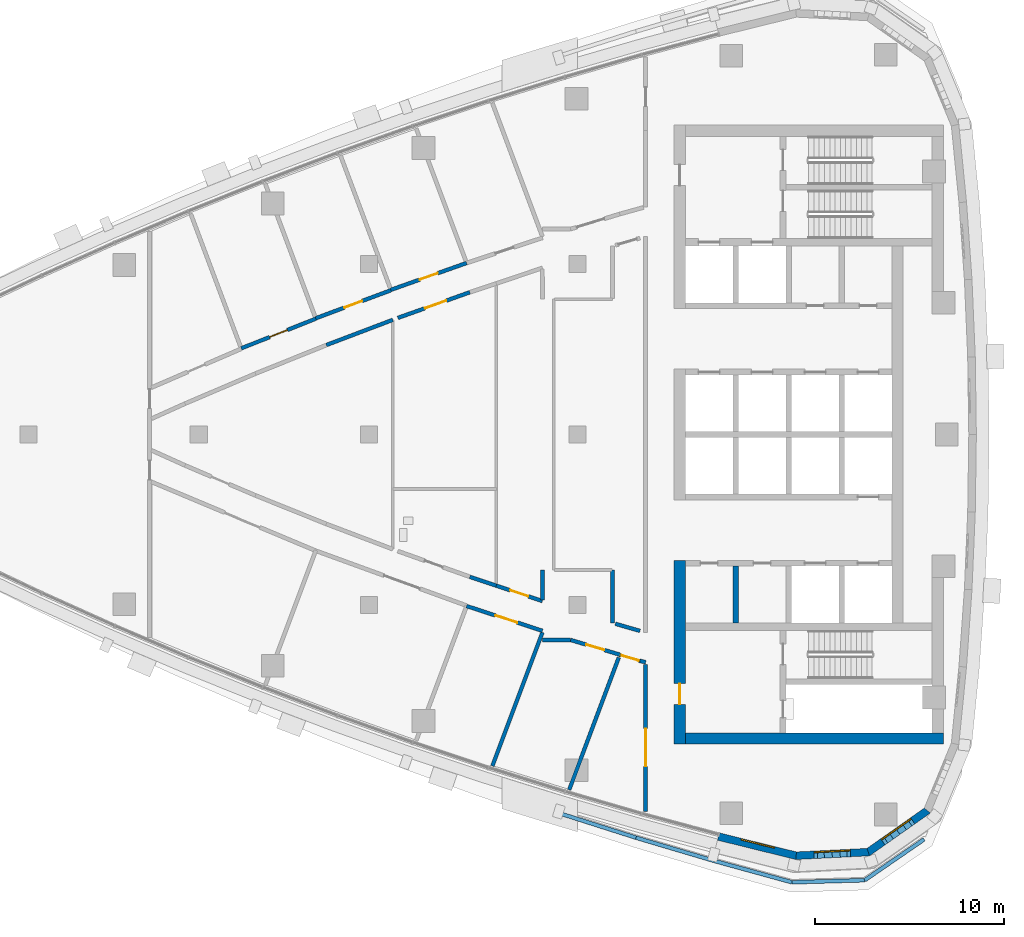
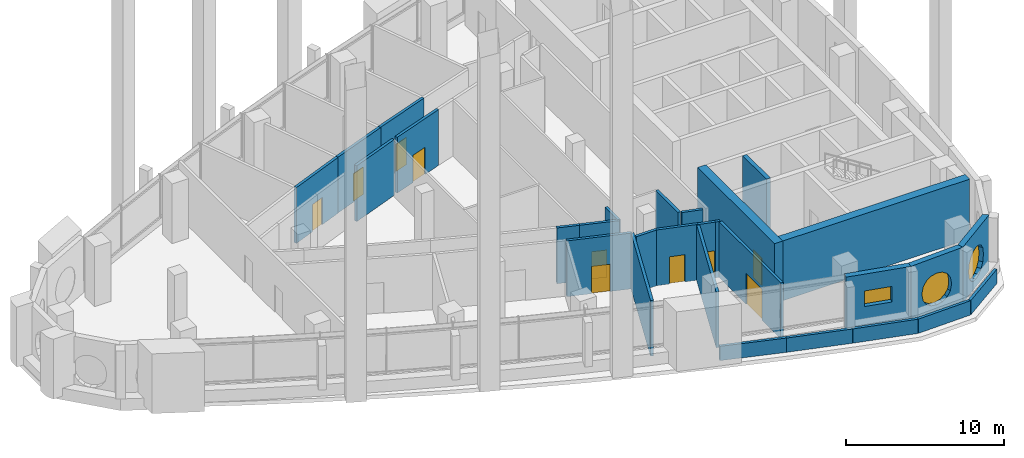
# One storey, part 7 of 15: 29 walls, 10 doors, 3 windows, 13 openings.
"""IFC4 building model written with IfcOpenShell, lengths in metres."""

from ifc_helpers import new_model, si_unit, direction, frame, frame_2d, origin, place, context, subcontext, project, spatial, polyline, rectangle, outline, extrude, material, layer, layer_set, type_object, element, fill, save


model = new_model("IFC4")

# Units and contexts
model_context = context("Model", 3, precision=1e-05, world=origin(), true_north=direction((0.0, 1.0)))
body_context = subcontext(model_context, "Body", "Model", "MODEL_VIEW")
ifc_project = project(units=[si_unit("LENGTHUNIT", "METRE"), si_unit("AREAUNIT", "SQUARE_METRE"), si_unit("VOLUMEUNIT", "CUBIC_METRE"), si_unit("PLANEANGLEUNIT", "RADIAN"), si_unit("MASSUNIT", "GRAM", prefix="KILO")], contexts=[model_context])

# Site, building, storey
site_placement = place(None, origin())
site = spatial("IfcSite", under=ifc_project, at=site_placement, CompositionType="ELEMENT")
building_placement = place(site_placement, origin())
building = spatial("IfcBuilding", under=site, at=building_placement, Name="Ostrand Prow Hotel Tower", CompositionType="ELEMENT")
storey_placement = place(building_placement, frame((0.0, 0.0, 216.199951171875)))
storey = spatial("IfcBuildingStorey", under=building, at=storey_placement, Name="L54", CompositionType="ELEMENT", Elevation=216.199951171875)

# Wall
ifc_material_1 = material(Name="Concrete C50/60", Category="concrete")
ifc_layer_1 = layer(ifc_material_1, 0.300048828125)
ifc_layer_set_1 = layer_set([ifc_layer_1], Name="Concrete C50/60")
wall_type_1 = type_object("IfcWallType", Name="Core wall 300 C50/60", PredefinedType="SHEAR", material=ifc_layer_set_1)
wall_1_placement = place(storey_placement, frame((53.35009765625, -9.949951171875, 0.0), z_axis=(0.0, 0.0, 1.0), x_axis=(0.0, 1.0, 0.0)))
element("IfcWall", 1, at=wall_1_placement, inside=storey, type_object=wall_type_1, Name="Core wall PW-R1-SA", PredefinedType="SHEAR", context=body_context, shape_type="SweptSolid", body=[
    extrude(rectangle(XDim=3.0, YDim=0.300048828125, at=frame_2d((1.5, 0.0))), origin(), (0.0, 0.0, 1.0), 4.60009765625),
])

# Wall, opening, door
ifc_material_2 = material(Name="Concrete C50/60", Category="concrete")
ifc_layer_2 = layer(ifc_material_2, 0.60009765625)
ifc_layer_set_2 = layer_set([ifc_layer_2], Name="Concrete C50/60")
wall_type_2 = type_object("IfcWallType", Name="Core wall 600 C50/60", PredefinedType="SHEAR", material=ifc_layer_set_2)
wall_2_placement = place(storey_placement, frame((50.39990234375, -16.35009765625, 0.0), z_axis=(0.0, 0.0, 1.0), x_axis=(0.0, 1.0, 0.0)))
wall_2 = element("IfcWall", 2, at=wall_2_placement, inside=storey, type_object=wall_type_2, Name="Core wall CW-W-S", PredefinedType="SHEAR", context=body_context, shape_type="SweptSolid", body=[
    extrude(rectangle(XDim=9.7001953125, YDim=0.60009765625, at=frame_2d((4.85009765625, 0.0))), origin(), (0.0, 0.0, 1.0), 4.60009765625),
])
opening_1_placement = place(wall_2_placement, frame((2.10009765625, 0.0, 0.0)))
opening_1 = element("IfcOpeningElement", 3, at=opening_1_placement, cuts=wall_2, Name="Opening FD1", PredefinedType="OPENING", context=body_context, shape_type="SweptSolid", body=[
    extrude(rectangle(XDim=1.10009765625, YDim=2.10009765625, at=frame_2d((0.550048828125, 1.050048828125))), frame((0.0, 0.31005859375, 0.0), z_axis=(0.0, -1.0, 0.0), x_axis=(1.0, 0.0, 0.0)), (0.0, 0.0, 1.0), 0.6201171875),
])
ifc_material_3 = material(Name="Steel fire door", Category="steel")
door_type_1 = type_object("IfcDoorType", Name="Fire door 1100 EI120", OperationType="SINGLE_SWING_RIGHT", PredefinedType="DOOR", material=ifc_material_3)
door_1_placement = place(opening_1_placement, origin())
door_1 = element("IfcDoor", 4, at=door_1_placement, inside=storey, type_object=door_type_1, Name="FIRE DOOR", OperationType="SINGLE_SWING_RIGHT", OverallHeight=2.10009765625, OverallWidth=1.10009765625, PredefinedType="DOOR", context=body_context, shape_type="SweptSolid", body=[
    extrude(rectangle(XDim=1.10009765625, YDim=2.10009765625, at=frame_2d((0.550048828125, 1.050048828125))), frame((0.0, 0.02490234375, 0.0), z_axis=(0.0, -1.0, 0.0), x_axis=(1.0, 0.0, 0.0)), (0.0, 0.0, 1.0), 0.050048828125),
])
fill(opening_1, door_1)

# Wall
wall_3_placement = place(storey_placement, frame((50.699951171875, -16.050048828125, 0.0), z_axis=(0.0, 0.0, 1.0), x_axis=(1.0, 0.0, 0.0)))
element("IfcWall", 5, at=wall_3_placement, inside=storey, type_object=wall_type_2, Name="Core wall CW-S", PredefinedType="SHEAR", context=body_context, shape_type="SweptSolid", body=[
    extrude(rectangle(XDim=13.6201171875, YDim=0.60009765625, at=frame_2d((6.81005859375, 0.0))), origin(), (0.0, 0.0, 1.0), 4.60009765625),
])

# Wall, opening, door
ifc_material_4 = material(Name="Plasterboard partition")
ifc_layer_3 = layer(ifc_material_4, 0.199951171875)
ifc_layer_set_3 = layer_set([ifc_layer_3], Name="Plasterboard partition")
wall_type_3 = type_object("IfcWallType", Name="Partition 200 corridor wall", PredefinedType="PARTITIONING", material=ifc_layer_set_3)
wall_4_placement = place(storey_placement, frame((27.24169921875, 4.548828125, 0.0), z_axis=(0.0, 0.0, 1.0), x_axis=(0.929035264316, 0.369991185919, 0.0)))
wall_4 = element("IfcWall", 6, at=wall_4_placement, inside=storey, type_object=wall_type_3, Name="CORRIDOR WALL", PredefinedType="PARTITIONING", context=body_context, shape_type="SweptSolid", body=[
    extrude(rectangle(XDim=4.2421875, YDim=0.199951171875, at=frame_2d((2.12109375, 0.0))), origin(), (0.0, 0.0, 1.0), 4.300048828125),
])
opening_2_placement = place(wall_4_placement, frame((1.62109375, 0.0, 0.0)))
opening_2 = element("IfcOpeningElement", 7, at=opening_2_placement, cuts=wall_4, Name="Opening D1R", PredefinedType="OPENING", context=body_context, shape_type="SweptSolid", body=[
    extrude(rectangle(XDim=1.0, YDim=2.10009765625, at=frame_2d((0.5, 1.050048828125))), frame((0.0, 0.10986328125, 0.0), z_axis=(0.0, -1.0, 0.0), x_axis=(1.0, 0.0, 0.0)), (0.0, 0.0, 1.0), 0.219970703125),
])
ifc_material_5 = material(Name="Timber door leaf", Category="wood")
door_type_2 = type_object("IfcDoorType", Name="Guest room door 1000 right", OperationType="SINGLE_SWING_RIGHT", PredefinedType="DOOR", material=ifc_material_5)
door_2_placement = place(opening_2_placement, origin())
door_2 = element("IfcDoor", 8, at=door_2_placement, inside=storey, type_object=door_type_2, Name="DOOR", OperationType="SINGLE_SWING_RIGHT", OverallHeight=2.10009765625, OverallWidth=1.0, PredefinedType="DOOR", context=body_context, shape_type="SweptSolid", body=[
    extrude(rectangle(XDim=1.0, YDim=2.10009765625, at=frame_2d((0.5, 1.050048828125))), frame((0.0, 0.02490234375, 0.0), z_axis=(0.0, -1.0, 0.0), x_axis=(1.0, 0.0, 0.0)), (0.0, 0.0, 1.0), 0.050048828125),
])
fill(opening_2, door_2)

wall_5_placement = place(storey_placement, frame((31.17578125, 6.136962890625, 0.0), z_axis=(0.0, 0.0, 1.0), x_axis=(0.936874184814, 0.349666643862, 0.0)))
wall_5 = element("IfcWall", 9, at=wall_5_placement, inside=storey, type_object=wall_type_3, Name="CORRIDOR WALL", PredefinedType="PARTITIONING", context=body_context, shape_type="SweptSolid", body=[
    extrude(rectangle(XDim=4.24365234375, YDim=0.199951171875, at=frame_2d((2.121826171875, 0.0))), origin(), (0.0, 0.0, 1.0), 4.300048828125),
])
opening_3_placement = place(wall_5_placement, frame((1.621826171875, 0.0, 0.0)))
opening_3 = element("IfcOpeningElement", 10, at=opening_3_placement, cuts=wall_5, Name="Opening D1", PredefinedType="OPENING", context=body_context, shape_type="SweptSolid", body=[
    extrude(rectangle(XDim=1.0, YDim=2.10009765625, at=frame_2d((0.5, 1.050048828125))), frame((0.0, 0.10986328125, 0.0), z_axis=(0.0, -1.0, 0.0), x_axis=(1.0, 0.0, 0.0)), (0.0, 0.0, 1.0), 0.219970703125),
])
ifc_material_6 = material(Name="Timber door leaf", Category="wood")
door_type_3 = type_object("IfcDoorType", Name="Guest room door 1000", OperationType="SINGLE_SWING_LEFT", PredefinedType="DOOR", material=ifc_material_6)
door_3_placement = place(opening_3_placement, origin())
door_3 = element("IfcDoor", 11, at=door_3_placement, inside=storey, type_object=door_type_3, Name="DOOR", OperationType="SINGLE_SWING_LEFT", OverallHeight=2.10009765625, OverallWidth=1.0, PredefinedType="DOOR", context=body_context, shape_type="SweptSolid", body=[
    extrude(rectangle(XDim=1.0, YDim=2.10009765625, at=frame_2d((0.5, 1.050048828125))), frame((0.0, 0.02490234375, 0.0), z_axis=(0.0, -1.0, 0.0), x_axis=(1.0, 0.0, 0.0)), (0.0, 0.0, 1.0), 0.050048828125),
])
fill(opening_3, door_3)

wall_6_placement = place(storey_placement, frame((39.14453125, 9.05859375, 0.0), z_axis=(0.0, 0.0, 1.0), x_axis=(-0.942440025415, -0.334375236068, 0.0)))
wall_6 = element("IfcWall", 12, at=wall_6_placement, inside=storey, type_object=wall_type_3, Name="CORRIDOR WALL", PredefinedType="PARTITIONING", context=body_context, shape_type="SweptSolid", body=[
    extrude(rectangle(XDim=4.244384765625, YDim=0.199951171875, at=frame_2d((2.1220703125, 0.0))), origin(), (0.0, 0.0, 1.0), 4.300048828125),
])
opening_4_placement = place(wall_6_placement, frame((1.622314453125, 0.0, 0.0)))
opening_4 = element("IfcOpeningElement", 13, at=opening_4_placement, cuts=wall_6, Name="Opening D1R", PredefinedType="OPENING", context=body_context, shape_type="SweptSolid", body=[
    extrude(rectangle(XDim=1.0, YDim=2.10009765625, at=frame_2d((0.5, 1.050048828125))), frame((0.0, 0.10986328125, 0.0), z_axis=(0.0, -1.0, 0.0), x_axis=(1.0, 0.0, 0.0)), (0.0, 0.0, 1.0), 0.219970703125),
])
door_4_placement = place(opening_4_placement, origin())
door_4 = element("IfcDoor", 14, at=door_4_placement, inside=storey, type_object=door_type_2, Name="DOOR", OperationType="SINGLE_SWING_RIGHT", OverallHeight=2.10009765625, OverallWidth=1.0, PredefinedType="DOOR", context=body_context, shape_type="SweptSolid", body=[
    extrude(rectangle(XDim=1.0, YDim=2.10009765625, at=frame_2d((0.5, 1.050048828125))), frame((0.0, 0.02490234375, 0.0), z_axis=(0.0, -1.0, 0.0), x_axis=(1.0, 0.0, 0.0)), (0.0, 0.0, 1.0), 0.050048828125),
])
fill(opening_4, door_4)

wall_7_placement = place(storey_placement, frame((39.14453125, -9.05859375, 0.0), z_axis=(0.0, 0.0, 1.0), x_axis=(0.950709044073, -0.310084365161, 0.0)))
wall_7 = element("IfcWall", 15, at=wall_7_placement, inside=storey, type_object=wall_type_3, Name="CORRIDOR WALL", PredefinedType="PARTITIONING", context=body_context, shape_type="SweptSolid", body=[
    extrude(rectangle(XDim=4.213134765625, YDim=0.199951171875, at=frame_2d((2.1064453125, 0.0))), origin(), (0.0, 0.0, 1.0), 4.300048828125),
])
opening_5_placement = place(wall_7_placement, frame((1.606689453125, 0.0, 0.0)))
opening_5 = element("IfcOpeningElement", 16, at=opening_5_placement, cuts=wall_7, Name="Opening D12", PredefinedType="OPENING", context=body_context, shape_type="SweptSolid", body=[
    extrude(rectangle(XDim=1.199951171875, YDim=2.10009765625, at=frame_2d((0.60009765625, 1.050048828125))), frame((0.0, 0.10986328125, 0.0), z_axis=(0.0, -1.0, 0.0), x_axis=(1.0, 0.0, 0.0)), (0.0, 0.0, 1.0), 0.219970703125),
])
ifc_material_7 = material(Name="Steel service door", Category="steel")
door_type_4 = type_object("IfcDoorType", Name="Service door 1200", OperationType="SINGLE_SWING_RIGHT", PredefinedType="DOOR", material=ifc_material_7)
door_5_placement = place(opening_5_placement, origin())
door_5 = element("IfcDoor", 17, at=door_5_placement, inside=storey, type_object=door_type_4, Name="DOOR", OperationType="SINGLE_SWING_RIGHT", OverallHeight=2.10009765625, OverallWidth=1.199951171875, PredefinedType="DOOR", context=body_context, shape_type="SweptSolid", body=[
    extrude(rectangle(XDim=1.199951171875, YDim=2.10009765625, at=frame_2d((0.60009765625, 1.050048828125))), frame((0.0, 0.02490234375, 0.0), z_axis=(0.0, -1.0, 0.0), x_axis=(1.0, 0.0, 0.0)), (0.0, 0.0, 1.0), 0.050048828125),
])
fill(opening_5, door_5)

wall_8_placement = place(storey_placement, frame((44.637939453125, -10.85009765625, 0.0), z_axis=(0.0, 0.0, 1.0), x_axis=(0.95835737874, -0.285571592801, 0.0)))
wall_8 = element("IfcWall", 18, at=wall_8_placement, inside=storey, type_object=wall_type_3, Name="CORRIDOR WALL", PredefinedType="PARTITIONING", context=body_context, shape_type="SweptSolid", body=[
    extrude(rectangle(XDim=2.7119140625, YDim=0.199951171875, at=frame_2d((1.35595703125, 0.0))), origin(), (0.0, 0.0, 1.0), 4.300048828125),
])
opening_6_placement = place(wall_8_placement, frame((0.85595703125, 0.0, 0.0)))
opening_6 = element("IfcOpeningElement", 19, at=opening_6_placement, cuts=wall_8, Name="Opening D1R", PredefinedType="OPENING", context=body_context, shape_type="SweptSolid", body=[
    extrude(rectangle(XDim=1.0, YDim=2.10009765625, at=frame_2d((0.5, 1.050048828125))), frame((0.0, 0.10986328125, 0.0), z_axis=(0.0, -1.0, 0.0), x_axis=(1.0, 0.0, 0.0)), (0.0, 0.0, 1.0), 0.219970703125),
])
door_6_placement = place(opening_6_placement, origin())
door_6 = element("IfcDoor", 20, at=door_6_placement, inside=storey, type_object=door_type_2, Name="DOOR", OperationType="SINGLE_SWING_RIGHT", OverallHeight=2.10009765625, OverallWidth=1.0, PredefinedType="DOOR", context=body_context, shape_type="SweptSolid", body=[
    extrude(rectangle(XDim=1.0, YDim=2.10009765625, at=frame_2d((0.5, 1.050048828125))), frame((0.0, 0.02490234375, 0.0), z_axis=(0.0, -1.0, 0.0), x_axis=(1.0, 0.0, 0.0)), (0.0, 0.0, 1.0), 0.050048828125),
])
fill(opening_6, door_6)

# Walls
wall_9_placement = place(storey_placement, frame((31.736572265625, 4.72412109375, 0.0), z_axis=(0.0, 0.0, 1.0), x_axis=(0.934948443449, 0.354783607418, 0.0)))
element("IfcWall", 21, at=wall_9_placement, inside=storey, type_object=wall_type_3, Name="CORRIDOR WALL", PredefinedType="PARTITIONING", context=body_context, shape_type="SweptSolid", body=[
    extrude(rectangle(XDim=3.75439453125, YDim=0.199951171875, at=frame_2d((1.877197265625, 0.0))), origin(), (0.0, 0.0, 1.0), 4.300048828125),
])
wall_10_placement = place(storey_placement, frame((40.70947265625, -7.978759765625, 0.0), z_axis=(0.0, 0.0, 1.0), x_axis=(-0.94846740352, 0.316874714137, 0.0)))
element("IfcWall", 22, at=wall_10_placement, inside=storey, type_object=wall_type_3, Name="CORRIDOR WALL", PredefinedType="PARTITIONING", context=body_context, shape_type="SweptSolid", body=[
    extrude(rectangle(XDim=1.4716796875, YDim=0.199951171875, at=frame_2d((0.73583984375, 0.0))), origin(), (0.0, 0.0, 1.0), 4.300048828125),
])

# Wall, opening, door
wall_11_placement = place(storey_placement, frame((35.51123046875, 6.156494140625, 0.0), z_axis=(0.0, 0.0, 1.0), x_axis=(0.941904619678, 0.335880465983, 0.0)))
wall_11 = element("IfcWall", 23, at=wall_11_placement, inside=storey, type_object=wall_type_3, Name="CORRIDOR WALL", PredefinedType="PARTITIONING", context=body_context, shape_type="SweptSolid", body=[
    extrude(rectangle(XDim=4.037109375, YDim=0.199951171875, at=frame_2d((2.0185546875, 0.0))), origin(), (0.0, 0.0, 1.0), 4.300048828125),
])
opening_7_placement = place(wall_11_placement, frame((1.5185546875, 0.0, 0.0)))
opening_7 = element("IfcOpeningElement", 24, at=opening_7_placement, cuts=wall_11, Name="Opening D12", PredefinedType="OPENING", context=body_context, shape_type="SweptSolid", body=[
    extrude(rectangle(XDim=1.199951171875, YDim=2.10009765625, at=frame_2d((0.60009765625, 1.050048828125))), frame((0.0, 0.10986328125, 0.0), z_axis=(0.0, -1.0, 0.0), x_axis=(1.0, 0.0, 0.0)), (0.0, 0.0, 1.0), 0.219970703125),
])
door_7_placement = place(opening_7_placement, origin())
door_7 = element("IfcDoor", 25, at=door_7_placement, inside=storey, type_object=door_type_4, Name="DOOR", OperationType="SINGLE_SWING_RIGHT", OverallHeight=2.10009765625, OverallWidth=1.199951171875, PredefinedType="DOOR", context=body_context, shape_type="SweptSolid", body=[
    extrude(rectangle(XDim=1.199951171875, YDim=2.10009765625, at=frame_2d((0.60009765625, 1.050048828125))), frame((0.0, 0.02490234375, 0.0), z_axis=(0.0, -1.0, 0.0), x_axis=(1.0, 0.0, 0.0)), (0.0, 0.0, 1.0), 0.050048828125),
])
fill(opening_7, door_7)

wall_12_placement = place(storey_placement, frame((43.14306640625, -8.791748046875, 0.0), z_axis=(0.0, 0.0, 1.0), x_axis=(-0.948473756095, 0.316855699016, 0.0)))
wall_12 = element("IfcWall", 26, at=wall_12_placement, inside=storey, type_object=wall_type_3, Name="CORRIDOR WALL", PredefinedType="PARTITIONING", context=body_context, shape_type="SweptSolid", body=[
    extrude(rectangle(XDim=2.56591796875, YDim=0.199951171875, at=frame_2d((1.282958984375, 0.0))), origin(), (0.0, 0.0, 1.0), 4.300048828125),
])
opening_8_placement = place(wall_12_placement, frame((0.782958984375, 0.0, 0.0)))
opening_8 = element("IfcOpeningElement", 27, at=opening_8_placement, cuts=wall_12, Name="Opening D1", PredefinedType="OPENING", context=body_context, shape_type="SweptSolid", body=[
    extrude(rectangle(XDim=1.0, YDim=2.10009765625, at=frame_2d((0.5, 1.050048828125))), frame((0.0, 0.10986328125, 0.0), z_axis=(0.0, -1.0, 0.0), x_axis=(1.0, 0.0, 0.0)), (0.0, 0.0, 1.0), 0.219970703125),
])
door_8_placement = place(opening_8_placement, origin())
door_8 = element("IfcDoor", 28, at=door_8_placement, inside=storey, type_object=door_type_3, Name="DOOR", OperationType="SINGLE_SWING_LEFT", OverallHeight=2.10009765625, OverallWidth=1.0, PredefinedType="DOOR", context=body_context, shape_type="SweptSolid", body=[
    extrude(rectangle(XDim=1.0, YDim=2.10009765625, at=frame_2d((0.5, 1.050048828125))), frame((0.0, 0.02490234375, 0.0), z_axis=(0.0, -1.0, 0.0), x_axis=(1.0, 0.0, 0.0)), (0.0, 0.0, 1.0), 0.050048828125),
])
fill(opening_8, door_8)

wall_13_placement = place(storey_placement, frame((47.229736328125, -11.643310546875, 0.0), z_axis=(0.0, 0.0, 1.0), x_axis=(0.960450233741, -0.278451698696, 0.0)))
wall_13 = element("IfcWall", 29, at=wall_13_placement, inside=storey, type_object=wall_type_3, Name="CORRIDOR WALL", PredefinedType="PARTITIONING", context=body_context, shape_type="SweptSolid", body=[
    extrude(rectangle(XDim=1.114501953125, YDim=0.199951171875, at=frame_2d((0.55712890625, 0.0))), origin(), (0.0, 0.0, 1.0), 4.300048828125),
])
opening_9_placement = place(wall_13_placement, frame((0.064208984375, 0.0, 0.0)))
opening_9 = element("IfcOpeningElement", 30, at=opening_9_placement, cuts=wall_13, Name="Opening D1", PredefinedType="OPENING", context=body_context, shape_type="SweptSolid", body=[
    extrude(rectangle(XDim=1.0, YDim=2.10009765625, at=frame_2d((0.5, 1.050048828125))), frame((0.0, 0.10986328125, 0.0), z_axis=(0.0, -1.0, 0.0), x_axis=(1.0, 0.0, 0.0)), (0.0, 0.0, 1.0), 0.219970703125),
])
door_9_placement = place(opening_9_placement, origin())
door_9 = element("IfcDoor", 31, at=door_9_placement, inside=storey, type_object=door_type_3, Name="DOOR", OperationType="SINGLE_SWING_LEFT", OverallHeight=2.10009765625, OverallWidth=1.0, PredefinedType="DOOR", context=body_context, shape_type="SweptSolid", body=[
    extrude(rectangle(XDim=1.0, YDim=2.10009765625, at=frame_2d((0.5, 1.050048828125))), frame((0.0, 0.02490234375, 0.0), z_axis=(0.0, -1.0, 0.0), x_axis=(1.0, 0.0, 0.0)), (0.0, 0.0, 1.0), 0.050048828125),
])
fill(opening_9, door_9)

# Walls
wall_14_placement = place(storey_placement, frame((48.300048828125, -10.37109375, 0.0), z_axis=(0.0, 0.0, 1.0), x_axis=(-0.960450321583, 0.278451395706, 0.0)))
element("IfcWall", 32, at=wall_14_placement, inside=storey, type_object=wall_type_3, Name="CORRIDOR WALL", PredefinedType="PARTITIONING", context=body_context, shape_type="SweptSolid", body=[
    extrude(rectangle(XDim=1.3564453125, YDim=0.199951171875, at=frame_2d((0.67822265625, 0.0))), origin(), (0.0, 0.0, 1.0), 4.300048828125),
])
wall_15_placement = place(storey_placement, frame((43.1455078125, -7.148193359375, 0.0), z_axis=(0.0, 0.0, 1.0), x_axis=(-0.000304785112, -0.999999953553, 0.0)))
element("IfcWall", 33, at=wall_15_placement, inside=storey, type_object=wall_type_3, Name="CORRIDOR WALL", PredefinedType="PARTITIONING", context=body_context, shape_type="SweptSolid", body=[
    extrude(rectangle(XDim=1.60205078125, YDim=0.199951171875, at=frame_2d((0.801025390625, 0.0))), origin(), (0.0, 0.0, 1.0), 4.300048828125),
])
wall_16_placement = place(storey_placement, frame((46.85498046875, -9.94384765625, 0.0), z_axis=(0.0, 0.0, 1.0), x_axis=(-0.000785271549, 0.999999691674, 0.0)))
element("IfcWall", 34, at=wall_16_placement, inside=storey, type_object=wall_type_3, Name="CORRIDOR WALL", PredefinedType="PARTITIONING", context=body_context, shape_type="SweptSolid", body=[
    extrude(rectangle(XDim=2.798095703125, YDim=0.199951171875, at=frame_2d((1.39892578125, 0.0))), origin(), (0.0, 0.0, 1.0), 4.300048828125),
])
wall_17_placement = place(storey_placement, frame((43.1484375, -10.854736328125, 0.0), z_axis=(0.0, 0.0, 1.0), x_axis=(0.999995150779, 0.003114228465, 0.0)))
element("IfcWall", 35, at=wall_17_placement, inside=storey, type_object=wall_type_3, Name="CORRIDOR WALL", PredefinedType="PARTITIONING", context=body_context, shape_type="SweptSolid", body=[
    extrude(rectangle(XDim=1.489501953125, YDim=0.199951171875, at=frame_2d((0.74462890625, 0.0))), origin(), (0.0, 0.0, 1.0), 4.300048828125),
])
wall_18_placement = place(storey_placement, frame((48.300048828125, -11.95361328125, 0.0), z_axis=(0.0, 0.0, 1.0), x_axis=(0.972991873737, -0.230839367615, 0.0)))
element("IfcWall", 36, at=wall_18_placement, inside=storey, type_object=wall_type_3, Name="CORRIDOR WALL", PredefinedType="PARTITIONING", context=body_context, shape_type="SweptSolid", body=[
    extrude(rectangle(XDim=0.309814453125, YDim=0.199951171875, at=frame_2d((0.15478515625, 0.0))), origin(), (0.0, 0.0, 1.0), 4.300048828125),
])

# Wall, opening, door
wall_19_placement = place(storey_placement, frame((48.594970703125, -12.1435546875, 0.0), z_axis=(0.0, 0.0, 1.0), x_axis=(0.0, -1.0, 0.0)))
wall_19 = element("IfcWall", 37, at=wall_19_placement, inside=storey, type_object=wall_type_3, Name="CORRIDOR WALL", PredefinedType="PARTITIONING", context=body_context, shape_type="SweptSolid", body=[
    extrude(rectangle(XDim=7.763427734375, YDim=0.199951171875, at=frame_2d((3.8818359375, 0.0))), origin(), (0.0, 0.0, 1.0), 4.300048828125),
])
opening_10_placement = place(wall_19_placement, frame((3.382080078125, 0.0, 0.0)))
opening_10 = element("IfcOpeningElement", 38, at=opening_10_placement, cuts=wall_19, Name="Opening D20", PredefinedType="OPENING", context=body_context, shape_type="SweptSolid", body=[
    extrude(rectangle(XDim=2.0, YDim=2.39990234375, at=frame_2d((1.0, 1.199951171875))), frame((0.0, 0.10986328125, 0.0), z_axis=(0.0, -1.0, 0.0), x_axis=(1.0, 0.0, 0.0)), (0.0, 0.0, 1.0), 0.219970703125),
])
ifc_material_8 = material(Name="Timber door leaf", Category="wood")
door_type_5 = type_object("IfcDoorType", Name="Double door 2000", OperationType="DOUBLE_DOOR_SINGLE_SWING", PredefinedType="DOOR", material=ifc_material_8)
door_10_placement = place(opening_10_placement, origin())
door_10 = element("IfcDoor", 39, at=door_10_placement, inside=storey, type_object=door_type_5, Name="DOOR", OperationType="DOUBLE_DOOR_SINGLE_SWING", OverallHeight=2.39990234375, OverallWidth=2.0, PredefinedType="DOOR", context=body_context, shape_type="SweptSolid", body=[
    extrude(rectangle(XDim=2.0, YDim=2.39990234375, at=frame_2d((1.0, 1.199951171875))), frame((0.0, 0.02490234375, 0.0), z_axis=(0.0, -1.0, 0.0), x_axis=(1.0, 0.0, 0.0)), (0.0, 0.0, 1.0), 0.050048828125),
])
fill(opening_10, door_10)

# Walls
ifc_material_9 = material(Name="Plasterboard partition")
ifc_layer_4 = layer(ifc_material_9, 0.199951171875)
ifc_layer_set_4 = layer_set([ifc_layer_4], Name="Plasterboard partition")
wall_type_4 = type_object("IfcWallType", Name="Partition 200 key partition", PredefinedType="PARTITIONING", material=ifc_layer_set_4)
wall_20_placement = place(storey_placement, frame((40.505615234375, -17.50146484375, 0.0), z_axis=(0.0, 0.0, 1.0), x_axis=(0.351119888923, 0.936330509811, 0.0)))
element("IfcWall", 40, at=wall_20_placement, inside=storey, type_object=wall_type_4, Name="KEY PARTITION", PredefinedType="PARTITIONING", context=body_context, shape_type="SweptSolid", body=[
    extrude(rectangle(XDim=7.531005859375, YDim=0.199951171875, at=frame_2d((3.765625, 0.0))), origin(), (0.0, 0.0, 1.0), 4.300048828125),
])
wall_21_placement = place(storey_placement, frame((44.560302734375, -18.76171875, 0.0), z_axis=(0.0, 0.0, 1.0), x_axis=(0.351109100247, 0.936334555447, 0.0)))
element("IfcWall", 41, at=wall_21_placement, inside=storey, type_object=wall_type_4, Name="KEY PARTITION", PredefinedType="PARTITIONING", context=body_context, shape_type="SweptSolid", body=[
    extrude(rectangle(XDim=7.46240234375, YDim=0.199951171875, at=frame_2d((3.731201171875, 0.0))), origin(), (0.0, 0.0, 1.0), 4.300048828125),
])
ifc_material_10 = material(Name="Precast concrete C40/50", Category="concrete")
ifc_layer_5 = layer(ifc_material_10, 0.199951171875)
ifc_layer_set_5 = layer_set([ifc_layer_5], Name="Precast concrete C40/50")
wall_type_5 = type_object("IfcWallType", Name="Roof parapet 200 mm precast concrete", PredefinedType="PARAPET", material=ifc_layer_set_5)
wall_22_placement = place(storey_placement, frame((43.98828125, -19.98193359375, 0.0), z_axis=(0.0, 0.0, 1.0), x_axis=(0.952727369543, -0.303826528341, 0.0)))
element("IfcWall", 42, at=wall_22_placement, inside=storey, type_object=wall_type_5, Name="Roof parapet LPR0 1.8", PredefinedType="PARAPET", context=body_context, shape_type="SweptSolid", body=[
    extrude(rectangle(XDim=4.302978515625, YDim=0.199951171875, at=frame_2d((2.1513671875, 0.0))), origin(), (0.0, 0.0, 1.0), 1.10009765625),
])
wall_23_placement = place(storey_placement, frame((48.087890625, -21.289306640625, 0.0), z_axis=(0.0, 0.0, 1.0), x_axis=(0.958673228505, -0.284509474266, 0.0)))
element("IfcWall", 43, at=wall_23_placement, inside=storey, type_object=wall_type_5, Name="Roof parapet LPR0 1.9", PredefinedType="PARAPET", context=body_context, shape_type="SweptSolid", body=[
    extrude(rectangle(XDim=4.302490234375, YDim=0.199951171875, at=frame_2d((2.1513671875, 0.0))), origin(), (0.0, 0.0, 1.0), 1.10009765625),
])
wall_24_placement = place(storey_placement, frame((52.212646484375, -22.513427734375, 0.0), z_axis=(0.0, 0.0, 1.0), x_axis=(0.964196245913, -0.265189742197, 0.0)))
element("IfcWall", 44, at=wall_24_placement, inside=storey, type_object=wall_type_5, Name="Roof parapet LPR0 1.10", PredefinedType="PARAPET", context=body_context, shape_type="SweptSolid", body=[
    extrude(rectangle(XDim=4.265380859375, YDim=0.199951171875, at=frame_2d((2.1328125, 0.0))), origin(), (0.0, 0.0, 1.0), 1.10009765625),
])
wall_25_placement = place(storey_placement, frame((56.3251953125, -23.64453125, 0.0), z_axis=(0.0, 0.0, 1.0), x_axis=(0.999589439394, 0.028652271334, 0.0)))
element("IfcWall", 45, at=wall_25_placement, inside=storey, type_object=wall_type_5, Name="Roof parapet LPR0 1.11", PredefinedType="PARAPET", context=body_context, shape_type="SweptSolid", body=[
    extrude(rectangle(XDim=3.8427734375, YDim=0.199951171875, at=frame_2d((1.92138671875, 0.0))), origin(), (0.0, 0.0, 1.0), 1.10009765625),
])
wall_26_placement = place(storey_placement, frame((60.16650390625, -23.534423828125, 0.0), z_axis=(0.0, 0.0, 1.0), x_axis=(0.823824636329, 0.566844748213, 0.0)))
element("IfcWall", 46, at=wall_26_placement, inside=storey, type_object=wall_type_5, Name="Roof parapet LPR0 1.12", PredefinedType="PARAPET", context=body_context, shape_type="SweptSolid", body=[
    extrude(rectangle(XDim=3.803955078125, YDim=0.199951171875, at=frame_2d((1.90185546875, 0.0))), origin(), (0.0, 0.0, 1.0), 1.10009765625),
])

# Wall, opening, window
ifc_material_11 = material(Name="Precast concrete C40/50", Category="concrete")
ifc_layer_6 = layer(ifc_material_11, 0.39990234375)
ifc_layer_set_6 = layer_set([ifc_layer_6], Name="Precast concrete C40/50")
wall_type_6 = type_object("IfcWallType", Name="Stone-faced precast wall 400 mm", PredefinedType="NOTDEFINED", material=ifc_layer_set_6)
wall_27_placement = place(storey_placement, frame((52.440673828125, -21.229736328125, 0.0), z_axis=(0.0, 0.0, 1.0), x_axis=(0.970902342456, -0.23947576373, 0.0)))
wall_27 = element("IfcWall", 47, at=wall_27_placement, inside=storey, type_object=wall_type_6, Name="Stone-faced wall back 1", PredefinedType="NOTDEFINED", context=body_context, shape_type="SweptSolid", body=[
    extrude(outline(polyline([(0.0, -0.199951171875), (4.255126953125, -0.199951171875), (4.196533203125, 0.199951171875), (0.0, 0.199951171875), (0.0, -0.199951171875)])), origin(), (0.0, 0.0, 1.0), 4.300048828125),
])
opening_11_placement = place(wall_27_placement, frame((1.212890625, 0.0, 1.800048828125)))
opening_11 = element("IfcOpeningElement", 48, at=opening_11_placement, cuts=wall_27, Name="Opening WC1", PredefinedType="OPENING", context=body_context, shape_type="SweptSolid", body=[
    extrude(rectangle(XDim=1.800048828125, YDim=1.199951171875, at=frame_2d((0.89990234375, 0.60009765625))), frame((0.0, 0.2099609375, 0.0), z_axis=(0.0, -1.0, 0.0), x_axis=(1.0, 0.0, 0.0)), (0.0, 0.0, 1.0), 0.419921875),
])
ifc_material_12 = material(Name="Insulated glass in bronze frame", Category="glass")
window_type_1 = type_object("IfcWindowType", Name="Sky lobby clerestory window 1800x1200", PartitioningType="SINGLE_PANEL", PredefinedType="WINDOW", material=ifc_material_12)
window_1_placement = place(opening_11_placement, origin())
window_1 = element("IfcWindow", 49, at=window_1_placement, inside=storey, type_object=window_type_1, Name="Window back 1.1", OverallHeight=1.199951171875, OverallWidth=1.800048828125, PartitioningType="SINGLE_PANEL", PredefinedType="WINDOW", context=body_context, shape_type="SweptSolid", body=[
    extrude(rectangle(XDim=1.800048828125, YDim=1.199951171875, at=frame_2d((0.89990234375, 0.60009765625))), frame((0.0, 0.169921875, 0.0), z_axis=(0.0, -1.0, 0.0), x_axis=(1.0, 0.0, 0.0)), (0.0, 0.0, 1.0), 0.06005859375),
])
fill(opening_11, window_1)

wall_28_placement = place(storey_placement, frame((56.54345703125, -22.24169921875, 0.0), z_axis=(0.0, 0.0, 1.0), x_axis=(0.998758875872, 0.049806705046, 0.0)))
wall_28 = element("IfcWall", 50, at=wall_28_placement, inside=storey, type_object=wall_type_6, Name="Stone-faced wall back 2", PredefinedType="NOTDEFINED", context=body_context, shape_type="SweptSolid", body=[
    extrude(outline(polyline([(-0.029296875, -0.199951171875), (3.871337890625, -0.199951171875), (3.755615234375, 0.199951171875), (0.029296875, 0.199951171875), (-0.029296875, -0.199951171875)])), origin(), (0.0, 0.0, 1.0), 4.300048828125),
])
opening_12_placement = place(wall_28_placement, frame((0.806884765625, 0.0, 0.60009765625)))
opening_12 = element("IfcOpeningElement", 51, at=opening_12_placement, cuts=wall_28, Name="Opening WP2", PredefinedType="OPENING", context=body_context, shape_type="SweptSolid", body=[
    extrude(outline(polyline([(0.0, 1.35009765625), (0.083740234375, 1.77099609375), (0.322265625, 2.127685546875), (0.678955078125, 2.3662109375), (1.10009765625, 2.449951171875), (1.52099609375, 2.3662109375), (1.877685546875, 2.127685546875), (2.1162109375, 1.77099609375), (2.199951171875, 1.35009765625), (2.199951171875, 1.10009765625), (2.1162109375, 0.678955078125), (1.877685546875, 0.322265625), (1.52099609375, 0.083740234375), (1.10009765625, 0.0), (0.678955078125, 0.083740234375), (0.322265625, 0.322265625), (0.083740234375, 0.678955078125), (0.0, 1.099853515625), (0.0, 1.35009765625)])), frame((0.0, 0.2099609375, 0.0), z_axis=(0.0, -1.0, 0.0), x_axis=(1.0, 0.0, 0.0)), (0.0, 0.0, 1.0), 0.419921875),
])
ifc_material_13 = material(Name="Insulated glass in bronze frame", Category="glass")
window_type_2 = type_object("IfcWindowType", Name="Round-ended prow lounge window 2200x2450", PartitioningType="SINGLE_PANEL", PredefinedType="WINDOW", material=ifc_material_13)
window_2_placement = place(opening_12_placement, origin())
window_2 = element("IfcWindow", 52, at=window_2_placement, inside=storey, type_object=window_type_2, Name="Window back 2.1", OverallHeight=2.449951171875, OverallWidth=2.199951171875, PartitioningType="SINGLE_PANEL", PredefinedType="WINDOW", context=body_context, shape_type="SweptSolid", body=[
    extrude(outline(polyline([(0.0, 1.35009765625), (0.083740234375, 1.77099609375), (0.322265625, 2.127685546875), (0.678955078125, 2.3662109375), (1.10009765625, 2.449951171875), (1.52099609375, 2.3662109375), (1.877685546875, 2.127685546875), (2.1162109375, 1.77099609375), (2.199951171875, 1.35009765625), (2.199951171875, 1.10009765625), (2.1162109375, 0.678955078125), (1.877685546875, 0.322265625), (1.52099609375, 0.083740234375), (1.10009765625, 0.0), (0.678955078125, 0.083740234375), (0.322265625, 0.322265625), (0.083740234375, 0.678955078125), (0.0, 1.099853515625), (0.0, 1.35009765625)])), frame((0.0, 0.169921875, 0.0), z_axis=(0.0, -1.0, 0.0), x_axis=(1.0, 0.0, 0.0)), (0.0, 0.0, 1.0), 0.06005859375),
])
fill(opening_12, window_2)

wall_29_placement = place(storey_placement, frame((60.352294921875, -22.0517578125, 0.0), z_axis=(0.0, 0.0, 1.0), x_axis=(0.817942545532, 0.575299915009, 0.0)))
wall_29 = element("IfcWall", 53, at=wall_29_placement, inside=storey, type_object=wall_type_6, Name="Stone-faced wall back 3", PredefinedType="NOTDEFINED", context=body_context, shape_type="SweptSolid", body=[
    extrude(outline(polyline([(-0.057861328125, -0.199951171875), (3.871337890625, -0.199951171875), (3.755615234375, 0.199951171875), (0.057861328125, 0.199951171875), (-0.057861328125, -0.199951171875)])), origin(), (0.0, 0.0, 1.0), 4.300048828125),
])
opening_13_placement = place(wall_29_placement, frame((0.806884765625, 0.0, 0.60009765625)))
opening_13 = element("IfcOpeningElement", 54, at=opening_13_placement, cuts=wall_29, Name="Opening WP2", PredefinedType="OPENING", context=body_context, shape_type="SweptSolid", body=[
    extrude(outline(polyline([(0.0, 1.35009765625), (0.083740234375, 1.77099609375), (0.322265625, 2.127685546875), (0.678955078125, 2.3662109375), (1.10009765625, 2.449951171875), (1.52099609375, 2.3662109375), (1.877685546875, 2.127685546875), (2.1162109375, 1.77099609375), (2.199951171875, 1.35009765625), (2.199951171875, 1.10009765625), (2.1162109375, 0.678955078125), (1.877685546875, 0.322265625), (1.52099609375, 0.083740234375), (1.10009765625, 0.0), (0.678955078125, 0.083740234375), (0.322265625, 0.322265625), (0.083740234375, 0.678955078125), (0.0, 1.099853515625), (0.0, 1.35009765625)])), frame((0.0, 0.2099609375, 0.0), z_axis=(0.0, -1.0, 0.0), x_axis=(1.0, 0.0, 0.0)), (0.0, 0.0, 1.0), 0.419921875),
])
window_3_placement = place(opening_13_placement, origin())
window_3 = element("IfcWindow", 55, at=window_3_placement, inside=storey, type_object=window_type_2, Name="Window back 3.1", OverallHeight=2.449951171875, OverallWidth=2.199951171875, PartitioningType="SINGLE_PANEL", PredefinedType="WINDOW", context=body_context, shape_type="SweptSolid", body=[
    extrude(outline(polyline([(0.0, 1.35009765625), (0.083740234375, 1.77099609375), (0.322265625, 2.127685546875), (0.678955078125, 2.3662109375), (1.10009765625, 2.449951171875), (1.52099609375, 2.3662109375), (1.877685546875, 2.127685546875), (2.1162109375, 1.77099609375), (2.199951171875, 1.35009765625), (2.199951171875, 1.10009765625), (2.1162109375, 0.678955078125), (1.877685546875, 0.322265625), (1.52099609375, 0.083740234375), (1.10009765625, 0.0), (0.678955078125, 0.083740234375), (0.322265625, 0.322265625), (0.083740234375, 0.678955078125), (0.0, 1.099853515625), (0.0, 1.35009765625)])), frame((0.0, 0.169921875, 0.0), z_axis=(0.0, -1.0, 0.0), x_axis=(1.0, 0.0, 0.0)), (0.0, 0.0, 1.0), 0.06005859375),
])
fill(opening_13, window_3)

save(model, "model.ifc")
